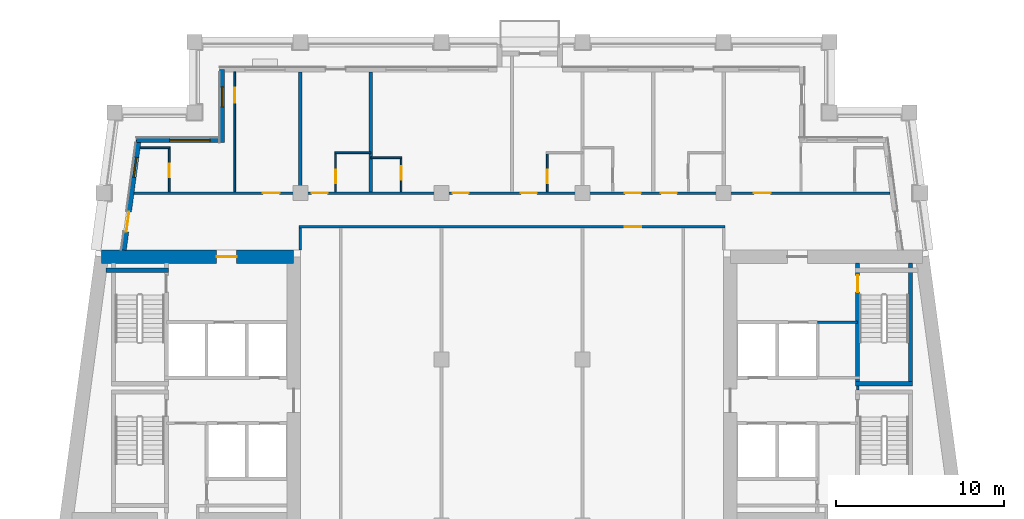
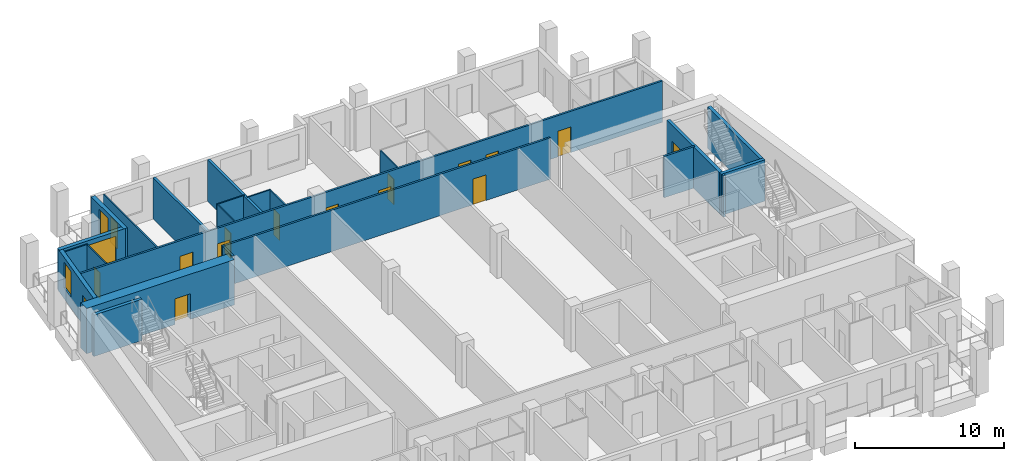
# One storey, part 6 of 13: 23 walls, 16 doors, 3 windows, 19 openings.
"""IFC4 building model written with IfcOpenShell, lengths in metres."""

from ifc_helpers import new_model, si_unit, direction, frame, frame_2d, origin, place, context, subcontext, project, spatial, rectangle, extrude, material, layer, layer_set, type_object, element, fill, save


model = new_model("IFC4")

# Units and contexts
model_context = context("Model", 3, precision=1e-05, world=origin(), true_north=direction((0.0, 1.0)))
body_context = subcontext(model_context, "Body", "Model", "MODEL_VIEW")
ifc_project = project(units=[si_unit("LENGTHUNIT", "METRE"), si_unit("AREAUNIT", "SQUARE_METRE"), si_unit("VOLUMEUNIT", "CUBIC_METRE"), si_unit("PLANEANGLEUNIT", "RADIAN"), si_unit("MASSUNIT", "GRAM", prefix="KILO")], contexts=[model_context])

# Site, building, storey
site_placement = place(None, origin())
site = spatial("IfcSite", under=ifc_project, at=site_placement, CompositionType="ELEMENT")
building_placement = place(site_placement, origin())
building = spatial("IfcBuilding", under=site, at=building_placement, Name="Candeia Pilgrim Tower and Theatre", CompositionType="ELEMENT")
storey_placement = place(building_placement, frame((0.0, 0.0, 205.89990234375)))
storey = spatial("IfcBuildingStorey", under=building, at=storey_placement, Name="L49", CompositionType="ELEMENT", Elevation=205.89990234375)

# Wall, opening, door
ifc_material_1 = material(Name="Concrete C50/60", Category="concrete")
ifc_layer_1 = layer(ifc_material_1, 0.800048828125)
ifc_layer_set_1 = layer_set([ifc_layer_1], Name="Core wall 800 C50/60")
wall_type_1 = type_object("IfcWallType", Name="Core wall 800 C50/60", PredefinedType="SHEAR", material=ifc_layer_set_1)
wall_1_placement = place(storey_placement, frame((88.98046875, 132.0, 0.0), z_axis=(0.0, 0.0, 1.0), x_axis=(1.0, 0.0, 0.0)))
wall_1 = element("IfcWall", 1, at=wall_1_placement, inside=storey, type_object=wall_type_1, Name="Core wall W1", PredefinedType="SHEAR", context=body_context, shape_type="SweptSolid", body=[
    extrude(rectangle(XDim=11.41943359375, YDim=0.800048828125, at=frame_2d((5.709716796875, 0.0))), origin(), (0.0, 0.0, 1.0), 3.7001953125),
])
opening_1_placement = place(wall_1_placement, frame((6.8330078125, 0.0, 0.0)))
opening_1 = element("IfcOpeningElement", 2, at=opening_1_placement, cuts=wall_1, Name="Opening L49-D061", PredefinedType="OPENING", context=body_context, shape_type="SweptSolid", body=[
    extrude(rectangle(XDim=1.199951171875, YDim=2.10009765625, at=frame_2d((0.60009765625, 1.050048828125))), frame((0.0, 0.41015625, 0.0), z_axis=(0.0, -1.0, 0.0), x_axis=(1.0, 0.0, 0.0)), (0.0, 0.0, 1.0), 0.820068359375),
])
ifc_material_2 = material(Name="Steel fire door set", Category="steel")
door_type_1 = type_object("IfcDoorType", Name="D-1200-FD60", OperationType="NOTDEFINED", PredefinedType="DOOR", material=ifc_material_2)
door_1_placement = place(opening_1_placement, origin())
door_1 = element("IfcDoor", 3, at=door_1_placement, inside=storey, type_object=door_type_1, Name="Door L49-D061", OperationType="SINGLE_SWING_RIGHT", OverallHeight=2.10009765625, OverallWidth=1.199951171875, PredefinedType="DOOR", context=body_context, shape_type="SweptSolid", body=[
    extrude(rectangle(XDim=1.199951171875, YDim=2.10009765625, at=frame_2d((0.60009765625, 1.050048828125))), frame((0.0, 0.02490234375, 0.0), z_axis=(0.0, -1.0, 0.0), x_axis=(1.0, 0.0, 0.0)), (0.0, 0.0, 1.0), 0.050048828125),
])
fill(opening_1, door_1)

# Wall, opening, window
ifc_material_3 = material(Name="Ceramic block masonry", Category="masonry")
ifc_layer_2 = layer(ifc_material_3, 0.300048828125)
ifc_layer_set_2 = layer_set([ifc_layer_2], Name="EW1 glazing-line wall 300")
wall_type_2 = type_object("IfcWallType", Name="EW1 glazing-line wall 300", PredefinedType="SOLIDWALL", material=ifc_layer_set_2)
wall_2_placement = place(storey_placement, frame((96.14990234375, 143.14990234375, 0.0), z_axis=(0.0, 0.0, 1.0), x_axis=(0.0, -1.0, 0.0)))
wall_2 = element("IfcWall", 4, at=wall_2_placement, inside=storey, type_object=wall_type_2, Name="External wall L49-7.0", PredefinedType="SOLIDWALL", context=body_context, shape_type="SweptSolid", body=[
    extrude(rectangle(XDim=4.349853515625, YDim=0.300048828125, at=frame_2d((2.1748046875, 0.0))), origin(), (0.0, 0.0, 1.0), 3.380126953125),
])
opening_2_placement = place(wall_2_placement, frame((1.02490234375, 0.0, 0.89990234375)))
opening_2 = element("IfcOpeningElement", 5, at=opening_2_placement, cuts=wall_2, Name="Opening W-B", PredefinedType="OPENING", context=body_context, shape_type="SweptSolid", body=[
    extrude(rectangle(XDim=1.199951171875, YDim=2.10009765625, at=frame_2d((0.60009765625, 1.050048828125))), frame((0.0, 0.16015625, 0.0), z_axis=(0.0, -1.0, 0.0), x_axis=(1.0, 0.0, 0.0)), (0.0, 0.0, 1.0), 0.320068359375),
])
ifc_material_4 = material(Name="Aluminium framed double glazing", Category="aluminium")
window_type_1 = type_object("IfcWindowType", Name="W-B window 1200x2100", PartitioningType="SINGLE_PANEL", PredefinedType="WINDOW", material=ifc_material_4)
window_1_placement = place(opening_2_placement, origin())
window_1 = element("IfcWindow", 6, at=window_1_placement, inside=storey, type_object=window_type_1, Name="Window W-B L49", OverallHeight=2.10009765625, OverallWidth=1.199951171875, PartitioningType="SINGLE_PANEL", PredefinedType="WINDOW", context=body_context, shape_type="SweptSolid", body=[
    extrude(rectangle(XDim=1.199951171875, YDim=2.10009765625, at=frame_2d((0.60009765625, 1.050048828125))), frame((0.0, 0.030029296875, 0.0), z_axis=(0.0, -1.0, 0.0), x_axis=(1.0, 0.0, 0.0)), (0.0, 0.0, 1.0), 0.06005859375),
])
fill(opening_2, window_1)

wall_3_placement = place(storey_placement, frame((96.14990234375, 138.949951171875, 0.0), z_axis=(0.0, 0.0, 1.0), x_axis=(-1.0, 0.0, 0.0)))
wall_3 = element("IfcWall", 7, at=wall_3_placement, inside=storey, type_object=wall_type_2, Name="External wall L49-8.0", PredefinedType="SOLIDWALL", context=body_context, shape_type="SweptSolid", body=[
    extrude(rectangle(XDim=5.103759765625, YDim=0.300048828125, at=frame_2d((2.5517578125, 0.0))), origin(), (0.0, 0.0, 1.0), 3.380126953125),
])
opening_3_placement = place(wall_3_placement, frame((0.72509765625, 0.0, 0.89990234375)))
opening_3 = element("IfcOpeningElement", 8, at=opening_3_placement, cuts=wall_3, Name="Opening W-A", PredefinedType="OPENING", context=body_context, shape_type="SweptSolid", body=[
    extrude(rectangle(XDim=2.39990234375, YDim=2.10009765625, at=frame_2d((1.199951171875, 1.050048828125))), frame((0.0, 0.16015625, 0.0), z_axis=(0.0, -1.0, 0.0), x_axis=(1.0, 0.0, 0.0)), (0.0, 0.0, 1.0), 0.320068359375),
])
window_type_2 = type_object("IfcWindowType", Name="W-A window 2400x2100", PartitioningType="DOUBLE_PANEL_VERTICAL", PredefinedType="WINDOW", material=ifc_material_4)
window_2_placement = place(opening_3_placement, origin())
window_2 = element("IfcWindow", 9, at=window_2_placement, inside=storey, type_object=window_type_2, Name="Window W-A L49", OverallHeight=2.10009765625, OverallWidth=2.39990234375, PartitioningType="SINGLE_PANEL", PredefinedType="WINDOW", context=body_context, shape_type="SweptSolid", body=[
    extrude(rectangle(XDim=2.39990234375, YDim=2.10009765625, at=frame_2d((1.199951171875, 1.050048828125))), frame((0.0, 0.030029296875, 0.0), z_axis=(0.0, -1.0, 0.0), x_axis=(1.0, 0.0, 0.0)), (0.0, 0.0, 1.0), 0.06005859375),
])
fill(opening_3, window_2)

# Wall, openings, door, window
wall_4_placement = place(storey_placement, frame((91.177490234375, 138.949951171875, 0.0), z_axis=(0.0, 0.0, 1.0), x_axis=(-0.133426664613, -0.991058689065, 0.0)))
wall_4 = element("IfcWall", 10, at=wall_4_placement, inside=storey, type_object=wall_type_2, Name="External wall L49-9.0", PredefinedType="SOLIDWALL", context=body_context, shape_type="SweptSolid", body=[
    extrude(rectangle(XDim=6.609130859375, YDim=0.300048828125, at=frame_2d((3.3046875, 0.0))), origin(), (0.0, 0.0, 1.0), 3.380126953125),
])
opening_4_placement = place(wall_4_placement, frame((1.039306640625, 0.0, 0.89990234375)))
opening_4 = element("IfcOpeningElement", 11, at=opening_4_placement, cuts=wall_4, Name="Opening W-B", PredefinedType="OPENING", context=body_context, shape_type="SweptSolid", body=[
    extrude(rectangle(XDim=1.199951171875, YDim=2.10009765625, at=frame_2d((0.60009765625, 1.050048828125))), frame((0.0, 0.16015625, 0.0), z_axis=(0.0, -1.0, 0.0), x_axis=(1.0, 0.0, 0.0)), (0.0, 0.0, 1.0), 0.320068359375),
])
opening_5_placement = place(wall_4_placement, frame((4.293701171875, 0.0, 0.0)))
opening_5 = element("IfcOpeningElement", 12, at=opening_5_placement, cuts=wall_4, Name="Opening L49-ED470", PredefinedType="OPENING", context=body_context, shape_type="SweptSolid", body=[
    extrude(rectangle(XDim=1.199951171875, YDim=2.39990234375, at=frame_2d((0.60009765625, 1.199951171875))), frame((0.0, 0.16015625, 0.0), z_axis=(0.0, -1.0, 0.0), x_axis=(1.0, 0.0, 0.0)), (0.0, 0.0, 1.0), 0.320068359375),
])
ifc_material_5 = material(Name="Aluminium framed glazed door", Category="aluminium")
door_type_2 = type_object("IfcDoorType", Name="Loggia door 1200x2400", OperationType="DOUBLE_DOOR_SINGLE_SWING", PredefinedType="DOOR", material=ifc_material_5)
door_2_placement = place(opening_5_placement, origin())
door_2 = element("IfcDoor", 13, at=door_2_placement, inside=storey, type_object=door_type_2, Name="Loggia door L49-ED470", OperationType="DOUBLE_DOOR_SINGLE_SWING", OverallHeight=2.39990234375, OverallWidth=1.199951171875, PredefinedType="DOOR", context=body_context, shape_type="SweptSolid", body=[
    extrude(rectangle(XDim=1.199951171875, YDim=2.39990234375, at=frame_2d((0.60009765625, 1.199951171875))), frame((0.0, 0.02490234375, 0.0), z_axis=(0.0, -1.0, 0.0), x_axis=(1.0, 0.0, 0.0)), (0.0, 0.0, 1.0), 0.050048828125),
])
fill(opening_5, door_2)
window_3_placement = place(opening_4_placement, origin())
window_3 = element("IfcWindow", 14, at=window_3_placement, inside=storey, type_object=window_type_1, Name="Window W-B L49", OverallHeight=2.10009765625, OverallWidth=1.199951171875, PartitioningType="SINGLE_PANEL", PredefinedType="WINDOW", context=body_context, shape_type="SweptSolid", body=[
    extrude(rectangle(XDim=1.199951171875, YDim=2.10009765625, at=frame_2d((0.60009765625, 1.050048828125))), frame((0.0, 0.030029296875, 0.0), z_axis=(0.0, -1.0, 0.0), x_axis=(1.0, 0.0, 0.0)), (0.0, 0.0, 1.0), 0.06005859375),
])
fill(opening_4, window_3)

# Walls
ifc_material_6 = material(Name="Gypsum board partition on steel studs", Category="steel")
ifc_layer_3 = layer(ifc_material_6, 0.10009765625)
ifc_layer_set_3 = layer_set([ifc_layer_3], Name="PW-100 room partition")
wall_type_3 = type_object("IfcWallType", Name="PW-100 room partition", PredefinedType="PARTITIONING", material=ifc_layer_set_3)
wall_5_placement = place(storey_placement, frame((105.0, 137.89990234375, 0.0), z_axis=(0.0, 0.0, 1.0), x_axis=(1.0, 0.0, 0.0)))
element("IfcWall", 15, at=wall_5_placement, inside=storey, type_object=wall_type_3, Name="Room partition L49-044", PredefinedType="PARTITIONING", context=body_context, shape_type="SweptSolid", body=[
    extrude(rectangle(XDim=1.85009765625, YDim=0.10009765625, at=frame_2d((0.925048828125, 0.0))), origin(), (0.0, 0.0, 1.0), 3.380126953125),
])
wall_6_placement = place(storey_placement, frame((102.85009765625, 138.199951171875, 0.0), z_axis=(0.0, 0.0, 1.0), x_axis=(1.0, 0.0, 0.0)))
element("IfcWall", 16, at=wall_6_placement, inside=storey, type_object=wall_type_3, Name="Room partition L49-045", PredefinedType="PARTITIONING", context=body_context, shape_type="SweptSolid", body=[
    extrude(rectangle(XDim=2.14990234375, YDim=0.10009765625, at=frame_2d((1.074951171875, 0.0))), origin(), (0.0, 0.0, 1.0), 3.380126953125),
])
wall_7_placement = place(storey_placement, frame((91.258056640625, 138.5, 0.0), z_axis=(0.0, 0.0, 1.0), x_axis=(1.0, 0.0, 0.0)))
element("IfcWall", 17, at=wall_7_placement, inside=storey, type_object=wall_type_3, Name="Room partition L49-048", PredefinedType="PARTITIONING", context=body_context, shape_type="SweptSolid", body=[
    extrude(rectangle(XDim=1.7919921875, YDim=0.10009765625, at=frame_2d((0.89599609375, 0.0))), origin(), (0.0, 0.0, 1.0), 3.380126953125),
])

# Wall, opening, door
wall_8_placement = place(storey_placement, frame((93.0, 135.875, 0.0), z_axis=(0.0, 0.0, 1.0), x_axis=(0.0, 1.0, 0.0)))
wall_8 = element("IfcWall", 18, at=wall_8_placement, inside=storey, type_object=wall_type_3, Name="Room partition L49-063", PredefinedType="PARTITIONING", context=body_context, shape_type="SweptSolid", body=[
    extrude(rectangle(XDim=2.574951171875, YDim=0.10009765625, at=frame_2d((1.28759765625, 0.0))), origin(), (0.0, 0.0, 1.0), 3.380126953125),
])
opening_6_placement = place(wall_8_placement, frame((0.875, 0.0, 0.0)))
opening_6 = element("IfcOpeningElement", 19, at=opening_6_placement, cuts=wall_8, Name="Opening L49-D041", PredefinedType="OPENING", context=body_context, shape_type="SweptSolid", body=[
    extrude(rectangle(XDim=0.800048828125, YDim=2.10009765625, at=frame_2d((0.39990234375, 1.050048828125))), frame((0.0, 0.06005859375, 0.0), z_axis=(0.0, -1.0, 0.0), x_axis=(1.0, 0.0, 0.0)), (0.0, 0.0, 1.0), 0.1201171875),
])
ifc_material_7 = material(Name="Timber door leaf", Category="wood")
door_type_3 = type_object("IfcDoorType", Name="D-800", OperationType="NOTDEFINED", PredefinedType="DOOR", material=ifc_material_7)
door_3_placement = place(opening_6_placement, origin())
door_3 = element("IfcDoor", 20, at=door_3_placement, inside=storey, type_object=door_type_3, Name="Door L49-D041", OperationType="SINGLE_SWING_RIGHT", OverallHeight=2.10009765625, OverallWidth=0.800048828125, PredefinedType="DOOR", context=body_context, shape_type="SweptSolid", body=[
    extrude(rectangle(XDim=0.800048828125, YDim=2.10009765625, at=frame_2d((0.39990234375, 1.050048828125))), frame((0.0, 0.02490234375, 0.0), z_axis=(0.0, -1.0, 0.0), x_axis=(1.0, 0.0, 0.0)), (0.0, 0.0, 1.0), 0.050048828125),
])
fill(opening_6, door_3)

wall_9_placement = place(storey_placement, frame((96.89990234375, 135.875, 0.0), z_axis=(0.0, 0.0, 1.0), x_axis=(0.0, 1.0, 0.0)))
wall_9 = element("IfcWall", 21, at=wall_9_placement, inside=storey, type_object=wall_type_3, Name="Room partition L49-069", PredefinedType="PARTITIONING", context=body_context, shape_type="SweptSolid", body=[
    extrude(rectangle(XDim=7.135009765625, YDim=0.10009765625, at=frame_2d((3.5673828125, 0.0))), origin(), (0.0, 0.0, 1.0), 3.380126953125),
])
opening_7_placement = place(wall_9_placement, frame((5.2900390625, 0.0, 0.0)))
opening_7 = element("IfcOpeningElement", 22, at=opening_7_placement, cuts=wall_9, Name="Opening L49-D040", PredefinedType="OPENING", context=body_context, shape_type="SweptSolid", body=[
    extrude(rectangle(XDim=0.89990234375, YDim=2.10009765625, at=frame_2d((0.449951171875, 1.050048828125))), frame((0.0, 0.06005859375, 0.0), z_axis=(0.0, -1.0, 0.0), x_axis=(1.0, 0.0, 0.0)), (0.0, 0.0, 1.0), 0.1201171875),
])
door_type_4 = type_object("IfcDoorType", Name="D-900", OperationType="NOTDEFINED", PredefinedType="DOOR", material=ifc_material_7)
door_4_placement = place(opening_7_placement, origin())
door_4 = element("IfcDoor", 23, at=door_4_placement, inside=storey, type_object=door_type_4, Name="Door L49-D040", OperationType="SINGLE_SWING_LEFT", OverallHeight=2.10009765625, OverallWidth=0.89990234375, PredefinedType="DOOR", context=body_context, shape_type="SweptSolid", body=[
    extrude(rectangle(XDim=0.89990234375, YDim=2.10009765625, at=frame_2d((0.449951171875, 1.050048828125))), frame((0.0, 0.02490234375, 0.0), z_axis=(0.0, -1.0, 0.0), x_axis=(1.0, 0.0, 0.0)), (0.0, 0.0, 1.0), 0.050048828125),
])
fill(opening_7, door_4)

wall_10_placement = place(storey_placement, frame((102.89990234375, 135.875, 0.0), z_axis=(0.0, 0.0, 1.0), x_axis=(0.0, 1.0, 0.0)))
wall_10 = element("IfcWall", 24, at=wall_10_placement, inside=storey, type_object=wall_type_3, Name="Room partition L49-078", PredefinedType="PARTITIONING", context=body_context, shape_type="SweptSolid", body=[
    extrude(rectangle(XDim=2.27490234375, YDim=0.10009765625, at=frame_2d((1.137451171875, 0.0))), origin(), (0.0, 0.0, 1.0), 3.380126953125),
])
opening_8_placement = place(wall_10_placement, frame((0.5, 0.0, 0.0)))
opening_8 = element("IfcOpeningElement", 25, at=opening_8_placement, cuts=wall_10, Name="Opening L49-D043", PredefinedType="OPENING", context=body_context, shape_type="SweptSolid", body=[
    extrude(rectangle(XDim=0.800048828125, YDim=2.10009765625, at=frame_2d((0.39990234375, 1.050048828125))), frame((0.0, 0.06005859375, 0.0), z_axis=(0.0, -1.0, 0.0), x_axis=(1.0, 0.0, 0.0)), (0.0, 0.0, 1.0), 0.1201171875),
])
door_5_placement = place(opening_8_placement, origin())
door_5 = element("IfcDoor", 26, at=door_5_placement, inside=storey, type_object=door_type_3, Name="Door L49-D043", OperationType="SINGLE_SWING_RIGHT", OverallHeight=2.10009765625, OverallWidth=0.800048828125, PredefinedType="DOOR", context=body_context, shape_type="SweptSolid", body=[
    extrude(rectangle(XDim=0.800048828125, YDim=2.10009765625, at=frame_2d((0.39990234375, 1.050048828125))), frame((0.0, 0.02490234375, 0.0), z_axis=(0.0, -1.0, 0.0), x_axis=(1.0, 0.0, 0.0)), (0.0, 0.0, 1.0), 0.050048828125),
])
fill(opening_8, door_5)

wall_11_placement = place(storey_placement, frame((106.800048828125, 135.875, 0.0), z_axis=(0.0, 0.0, 1.0), x_axis=(0.0, 1.0, 0.0)))
wall_11 = element("IfcWall", 27, at=wall_11_placement, inside=storey, type_object=wall_type_3, Name="Room partition L49-083", PredefinedType="PARTITIONING", context=body_context, shape_type="SweptSolid", body=[
    extrude(rectangle(XDim=1.97509765625, YDim=0.10009765625, at=frame_2d((0.987548828125, 0.0))), origin(), (0.0, 0.0, 1.0), 3.380126953125),
])
opening_9_placement = place(wall_11_placement, frame((0.72509765625, 0.0, 0.0)))
opening_9 = element("IfcOpeningElement", 28, at=opening_9_placement, cuts=wall_11, Name="Opening L49-D045", PredefinedType="OPENING", context=body_context, shape_type="SweptSolid", body=[
    extrude(rectangle(XDim=0.800048828125, YDim=2.10009765625, at=frame_2d((0.39990234375, 1.050048828125))), frame((0.0, 0.06005859375, 0.0), z_axis=(0.0, -1.0, 0.0), x_axis=(1.0, 0.0, 0.0)), (0.0, 0.0, 1.0), 0.1201171875),
])
door_6_placement = place(opening_9_placement, origin())
door_6 = element("IfcDoor", 29, at=door_6_placement, inside=storey, type_object=door_type_3, Name="Door L49-D045", OperationType="SINGLE_SWING_RIGHT", OverallHeight=2.10009765625, OverallWidth=0.800048828125, PredefinedType="DOOR", context=body_context, shape_type="SweptSolid", body=[
    extrude(rectangle(XDim=0.800048828125, YDim=2.10009765625, at=frame_2d((0.39990234375, 1.050048828125))), frame((0.0, 0.02490234375, 0.0), z_axis=(0.0, -1.0, 0.0), x_axis=(1.0, 0.0, 0.0)), (0.0, 0.0, 1.0), 0.050048828125),
])
fill(opening_9, door_6)

wall_12_placement = place(storey_placement, frame((115.5, 135.875, 0.0), z_axis=(0.0, 0.0, 1.0), x_axis=(0.0, 1.0, 0.0)))
wall_12 = element("IfcWall", 30, at=wall_12_placement, inside=storey, type_object=wall_type_3, Name="Room partition L49-091", PredefinedType="PARTITIONING", context=body_context, shape_type="SweptSolid", body=[
    extrude(rectangle(XDim=2.27490234375, YDim=0.10009765625, at=frame_2d((1.137451171875, 0.0))), origin(), (0.0, 0.0, 1.0), 3.380126953125),
])
opening_10_placement = place(wall_12_placement, frame((0.5, 0.0, 0.0)))
opening_10 = element("IfcOpeningElement", 31, at=opening_10_placement, cuts=wall_12, Name="Opening L49-D047", PredefinedType="OPENING", context=body_context, shape_type="SweptSolid", body=[
    extrude(rectangle(XDim=0.800048828125, YDim=2.10009765625, at=frame_2d((0.39990234375, 1.050048828125))), frame((0.0, 0.06005859375, 0.0), z_axis=(0.0, -1.0, 0.0), x_axis=(1.0, 0.0, 0.0)), (0.0, 0.0, 1.0), 0.1201171875),
])
door_7_placement = place(opening_10_placement, origin())
door_7 = element("IfcDoor", 32, at=door_7_placement, inside=storey, type_object=door_type_3, Name="Door L49-D047", OperationType="SINGLE_SWING_RIGHT", OverallHeight=2.10009765625, OverallWidth=0.800048828125, PredefinedType="DOOR", context=body_context, shape_type="SweptSolid", body=[
    extrude(rectangle(XDim=0.800048828125, YDim=2.10009765625, at=frame_2d((0.39990234375, 1.050048828125))), frame((0.0, 0.02490234375, 0.0), z_axis=(0.0, -1.0, 0.0), x_axis=(1.0, 0.0, 0.0)), (0.0, 0.0, 1.0), 0.050048828125),
])
fill(opening_10, door_7)

# Walls
ifc_layer_4 = layer(ifc_material_6, 0.14990234375)
ifc_layer_set_4 = layer_set([ifc_layer_4], Name="PW-150 lobby wall")
wall_type_4 = type_object("IfcWallType", Name="PW-150 lobby wall", PredefinedType="PARTITIONING", material=ifc_layer_set_4)
wall_13_placement = place(storey_placement, frame((131.58203125, 128.10009765625, 0.0), z_axis=(0.0, 0.0, 1.0), x_axis=(1.0, 0.0, 0.0)))
element("IfcWall", 33, at=wall_13_placement, inside=storey, type_object=wall_type_4, Name="Lobby wall L49-039", PredefinedType="PARTITIONING", context=body_context, shape_type="SweptSolid", body=[
    extrude(rectangle(XDim=2.390869140625, YDim=0.14990234375, at=frame_2d((1.1953125, 0.0))), origin(), (0.0, 0.0, 1.0), 3.380126953125),
])
wall_14_placement = place(storey_placement, frame((133.972900390625, 124.074951171875, 0.0), z_axis=(0.0, 0.0, 1.0), x_axis=(0.0, 1.0, 0.0)))
element("IfcWall", 34, at=wall_14_placement, inside=storey, type_object=wall_type_4, Name="Lobby wall L49-120", PredefinedType="PARTITIONING", context=body_context, shape_type="SweptSolid", body=[
    extrude(rectangle(XDim=0.25, YDim=0.14990234375, at=frame_2d((0.125, 0.0))), origin(), (0.0, 0.0, 1.0), 3.380126953125),
])

# Wall, opening, door
ifc_layer_5 = layer(ifc_material_6, 0.14990234375)
ifc_layer_set_5 = layer_set([ifc_layer_5], Name="PW-150 unit wall")
wall_type_5 = type_object("IfcWallType", Name="PW-150 unit wall", PredefinedType="PARTITIONING", material=ifc_layer_set_5)
wall_15_placement = place(storey_placement, frame((100.72509765625, 133.800048828125, 0.0), z_axis=(0.0, 0.0, 1.0), x_axis=(1.0, 0.0, 0.0)))
wall_15 = element("IfcWall", 35, at=wall_15_placement, inside=storey, type_object=wall_type_5, Name="Unit wall L49-042", PredefinedType="PARTITIONING", context=body_context, shape_type="SweptSolid", body=[
    extrude(rectangle(XDim=25.349853515625, YDim=0.14990234375, at=frame_2d((12.6748046875, 0.0))), origin(), (0.0, 0.0, 1.0), 3.380126953125),
])
opening_11_placement = place(wall_15_placement, frame((19.375, 0.0, 0.0)))
opening_11 = element("IfcOpeningElement", 36, at=opening_11_placement, cuts=wall_15, Name="Opening L49-D059", PredefinedType="OPENING", context=body_context, shape_type="SweptSolid", body=[
    extrude(rectangle(XDim=1.0, YDim=2.10009765625, at=frame_2d((0.5, 1.050048828125))), frame((0.0, 0.0849609375, 0.0), z_axis=(0.0, -1.0, 0.0), x_axis=(1.0, 0.0, 0.0)), (0.0, 0.0, 1.0), 0.169921875),
])
door_type_5 = type_object("IfcDoorType", Name="D-1000-FD30S", OperationType="NOTDEFINED", PredefinedType="DOOR", material=ifc_material_2)
door_8_placement = place(opening_11_placement, origin())
door_8 = element("IfcDoor", 37, at=door_8_placement, inside=storey, type_object=door_type_5, Name="Door L49-D059", OperationType="SINGLE_SWING_RIGHT", OverallHeight=2.10009765625, OverallWidth=1.0, PredefinedType="DOOR", context=body_context, shape_type="SweptSolid", body=[
    extrude(rectangle(XDim=1.0, YDim=2.10009765625, at=frame_2d((0.5, 1.050048828125))), frame((0.0, 0.02490234375, 0.0), z_axis=(0.0, -1.0, 0.0), x_axis=(1.0, 0.0, 0.0)), (0.0, 0.0, 1.0), 0.050048828125),
])
fill(opening_11, door_8)

# Wall, openings, doors
wall_16_placement = place(storey_placement, frame((90.89453125, 135.800048828125, 0.0), z_axis=(0.0, 0.0, 1.0), x_axis=(1.0, 0.0, 0.0)))
wall_16 = element("IfcWall", 38, at=wall_16_placement, inside=storey, type_object=wall_type_5, Name="Unit wall L49-043", PredefinedType="PARTITIONING", context=body_context, shape_type="SweptSolid", body=[
    extrude(rectangle(XDim=45.010986328125, YDim=0.14990234375, at=frame_2d((22.50537109375, 0.0))), origin(), (0.0, 0.0, 1.0), 3.380126953125),
])
opening_12_placement = place(wall_16_placement, frame((7.67529296875, 0.0, 0.0)))
opening_12 = element("IfcOpeningElement", 39, at=opening_12_placement, cuts=wall_16, Name="Opening L49-D039", PredefinedType="OPENING", context=body_context, shape_type="SweptSolid", body=[
    extrude(rectangle(XDim=1.0, YDim=2.10009765625, at=frame_2d((0.5, 1.050048828125))), frame((0.0, 0.0849609375, 0.0), z_axis=(0.0, -1.0, 0.0), x_axis=(1.0, 0.0, 0.0)), (0.0, 0.0, 1.0), 0.169921875),
])
opening_13_placement = place(wall_16_placement, frame((10.575439453125, 0.0, 0.0)))
opening_13 = element("IfcOpeningElement", 40, at=opening_13_placement, cuts=wall_16, Name="Opening L49-D042", PredefinedType="OPENING", context=body_context, shape_type="SweptSolid", body=[
    extrude(rectangle(XDim=0.949951171875, YDim=2.10009765625, at=frame_2d((0.47509765625, 1.050048828125))), frame((0.0, 0.0849609375, 0.0), z_axis=(0.0, -1.0, 0.0), x_axis=(1.0, 0.0, 0.0)), (0.0, 0.0, 1.0), 0.169921875),
])
opening_14_placement = place(wall_16_placement, frame((18.978515625, 0.0, 0.0)))
opening_14 = element("IfcOpeningElement", 41, at=opening_14_placement, cuts=wall_16, Name="Opening L49-D044", PredefinedType="OPENING", context=body_context, shape_type="SweptSolid", body=[
    extrude(rectangle(XDim=0.949951171875, YDim=2.10009765625, at=frame_2d((0.47509765625, 1.050048828125))), frame((0.0, 0.0849609375, 0.0), z_axis=(0.0, -1.0, 0.0), x_axis=(1.0, 0.0, 0.0)), (0.0, 0.0, 1.0), 0.169921875),
])
opening_15_placement = place(wall_16_placement, frame((23.035400390625, 0.0, 0.0)))
opening_15 = element("IfcOpeningElement", 42, at=opening_15_placement, cuts=wall_16, Name="Opening L49-D046", PredefinedType="OPENING", context=body_context, shape_type="SweptSolid", body=[
    extrude(rectangle(XDim=0.949951171875, YDim=2.10009765625, at=frame_2d((0.47509765625, 1.050048828125))), frame((0.0, 0.0849609375, 0.0), z_axis=(0.0, -1.0, 0.0), x_axis=(1.0, 0.0, 0.0)), (0.0, 0.0, 1.0), 0.169921875),
])
opening_16_placement = place(wall_16_placement, frame((29.23046875, 0.0, 0.0)))
opening_16 = element("IfcOpeningElement", 43, at=opening_16_placement, cuts=wall_16, Name="Opening L49-D048", PredefinedType="OPENING", context=body_context, shape_type="SweptSolid", body=[
    extrude(rectangle(XDim=0.949951171875, YDim=2.10009765625, at=frame_2d((0.47509765625, 1.050048828125))), frame((0.0, 0.0849609375, 0.0), z_axis=(0.0, -1.0, 0.0), x_axis=(1.0, 0.0, 0.0)), (0.0, 0.0, 1.0), 0.169921875),
])
opening_17_placement = place(wall_16_placement, frame((31.367431640625, 0.0, 0.0)))
opening_17 = element("IfcOpeningElement", 44, at=opening_17_placement, cuts=wall_16, Name="Opening L49-D050", PredefinedType="OPENING", context=body_context, shape_type="SweptSolid", body=[
    extrude(rectangle(XDim=0.949951171875, YDim=2.10009765625, at=frame_2d((0.47509765625, 1.050048828125))), frame((0.0, 0.0849609375, 0.0), z_axis=(0.0, -1.0, 0.0), x_axis=(1.0, 0.0, 0.0)), (0.0, 0.0, 1.0), 0.169921875),
])
opening_18_placement = place(wall_16_placement, frame((36.905517578125, 0.0, 0.0)))
opening_18 = element("IfcOpeningElement", 45, at=opening_18_placement, cuts=wall_16, Name="Opening L49-D052", PredefinedType="OPENING", context=body_context, shape_type="SweptSolid", body=[
    extrude(rectangle(XDim=1.0, YDim=2.10009765625, at=frame_2d((0.5, 1.050048828125))), frame((0.0, 0.0849609375, 0.0), z_axis=(0.0, -1.0, 0.0), x_axis=(1.0, 0.0, 0.0)), (0.0, 0.0, 1.0), 0.169921875),
])
door_9_placement = place(opening_12_placement, origin())
door_9 = element("IfcDoor", 46, at=door_9_placement, inside=storey, type_object=door_type_5, Name="Door L49-D039", OperationType="SINGLE_SWING_RIGHT", OverallHeight=2.10009765625, OverallWidth=1.0, PredefinedType="DOOR", context=body_context, shape_type="SweptSolid", body=[
    extrude(rectangle(XDim=1.0, YDim=2.10009765625, at=frame_2d((0.5, 1.050048828125))), frame((0.0, 0.02490234375, 0.0), z_axis=(0.0, -1.0, 0.0), x_axis=(1.0, 0.0, 0.0)), (0.0, 0.0, 1.0), 0.050048828125),
])
fill(opening_12, door_9)
door_10_placement = place(opening_18_placement, origin())
door_10 = element("IfcDoor", 47, at=door_10_placement, inside=storey, type_object=door_type_5, Name="Door L49-D052", OperationType="SINGLE_SWING_LEFT", OverallHeight=2.10009765625, OverallWidth=1.0, PredefinedType="DOOR", context=body_context, shape_type="SweptSolid", body=[
    extrude(rectangle(XDim=1.0, YDim=2.10009765625, at=frame_2d((0.5, 1.050048828125))), frame((0.0, 0.02490234375, 0.0), z_axis=(0.0, -1.0, 0.0), x_axis=(1.0, 0.0, 0.0)), (0.0, 0.0, 1.0), 0.050048828125),
])
fill(opening_18, door_10)
door_type_6 = type_object("IfcDoorType", Name="D-950-FD30S", OperationType="NOTDEFINED", PredefinedType="DOOR", material=ifc_material_2)
door_11_placement = place(opening_13_placement, origin())
door_11 = element("IfcDoor", 48, at=door_11_placement, inside=storey, type_object=door_type_6, Name="Door L49-D042", OperationType="SINGLE_SWING_LEFT", OverallHeight=2.10009765625, OverallWidth=0.949951171875, PredefinedType="DOOR", context=body_context, shape_type="SweptSolid", body=[
    extrude(rectangle(XDim=0.949951171875, YDim=2.10009765625, at=frame_2d((0.47509765625, 1.050048828125))), frame((0.0, 0.02490234375, 0.0), z_axis=(0.0, -1.0, 0.0), x_axis=(1.0, 0.0, 0.0)), (0.0, 0.0, 1.0), 0.050048828125),
])
fill(opening_13, door_11)
door_12_placement = place(opening_14_placement, origin())
door_12 = element("IfcDoor", 49, at=door_12_placement, inside=storey, type_object=door_type_6, Name="Door L49-D044", OperationType="SINGLE_SWING_LEFT", OverallHeight=2.10009765625, OverallWidth=0.949951171875, PredefinedType="DOOR", context=body_context, shape_type="SweptSolid", body=[
    extrude(rectangle(XDim=0.949951171875, YDim=2.10009765625, at=frame_2d((0.47509765625, 1.050048828125))), frame((0.0, 0.02490234375, 0.0), z_axis=(0.0, -1.0, 0.0), x_axis=(1.0, 0.0, 0.0)), (0.0, 0.0, 1.0), 0.050048828125),
])
fill(opening_14, door_12)
door_13_placement = place(opening_15_placement, origin())
door_13 = element("IfcDoor", 50, at=door_13_placement, inside=storey, type_object=door_type_6, Name="Door L49-D046", OperationType="SINGLE_SWING_LEFT", OverallHeight=2.10009765625, OverallWidth=0.949951171875, PredefinedType="DOOR", context=body_context, shape_type="SweptSolid", body=[
    extrude(rectangle(XDim=0.949951171875, YDim=2.10009765625, at=frame_2d((0.47509765625, 1.050048828125))), frame((0.0, 0.02490234375, 0.0), z_axis=(0.0, -1.0, 0.0), x_axis=(1.0, 0.0, 0.0)), (0.0, 0.0, 1.0), 0.050048828125),
])
fill(opening_15, door_13)
door_14_placement = place(opening_16_placement, origin())
door_14 = element("IfcDoor", 51, at=door_14_placement, inside=storey, type_object=door_type_6, Name="Door L49-D048", OperationType="SINGLE_SWING_LEFT", OverallHeight=2.10009765625, OverallWidth=0.949951171875, PredefinedType="DOOR", context=body_context, shape_type="SweptSolid", body=[
    extrude(rectangle(XDim=0.949951171875, YDim=2.10009765625, at=frame_2d((0.47509765625, 1.050048828125))), frame((0.0, 0.02490234375, 0.0), z_axis=(0.0, -1.0, 0.0), x_axis=(1.0, 0.0, 0.0)), (0.0, 0.0, 1.0), 0.050048828125),
])
fill(opening_16, door_14)
door_15_placement = place(opening_17_placement, origin())
door_15 = element("IfcDoor", 52, at=door_15_placement, inside=storey, type_object=door_type_6, Name="Door L49-D050", OperationType="SINGLE_SWING_LEFT", OverallHeight=2.10009765625, OverallWidth=0.949951171875, PredefinedType="DOOR", context=body_context, shape_type="SweptSolid", body=[
    extrude(rectangle(XDim=0.949951171875, YDim=2.10009765625, at=frame_2d((0.47509765625, 1.050048828125))), frame((0.0, 0.02490234375, 0.0), z_axis=(0.0, -1.0, 0.0), x_axis=(1.0, 0.0, 0.0)), (0.0, 0.0, 1.0), 0.050048828125),
])
fill(opening_17, door_15)

# Walls
wall_17_placement = place(storey_placement, frame((100.800048828125, 132.39990234375, 0.0), z_axis=(0.0, 0.0, 1.0), x_axis=(0.0, 1.0, 0.0)))
element("IfcWall", 53, at=wall_17_placement, inside=storey, type_object=wall_type_5, Name="Unit wall L49-077", PredefinedType="PARTITIONING", context=body_context, shape_type="SweptSolid", body=[
    extrude(rectangle(XDim=1.3251953125, YDim=0.14990234375, at=frame_2d((0.66259765625, 0.0))), origin(), (0.0, 0.0, 1.0), 3.380126953125),
])
ifc_layer_6 = layer(ifc_material_6, 0.199951171875)
ifc_layer_set_6 = layer_set([ifc_layer_6], Name="PW-200 party wall")
wall_type_6 = type_object("IfcWallType", Name="PW-200 party wall", PredefinedType="PARTITIONING", material=ifc_layer_set_6)
for number, where, z_axis, x_axis, name in (
    (54, (100.800048828125, 135.875, 0.0), (0.0, 0.0, 1.0), (0.0, 1.0, 0.0), "Party wall L49-075"),
    (55, (105.0, 135.875, 0.0), (0.0, 0.0, 1.0), (0.0, 1.0, 0.0), "Party wall L49-082"),
):
    element("IfcWall", number, at=place(storey_placement, frame(where, z_axis=z_axis, x_axis=x_axis)), inside=storey, type_object=wall_type_6, Name=name, PredefinedType="PARTITIONING", context=body_context, shape_type="SweptSolid", body=[
        extrude(rectangle(XDim=7.135009765625, YDim=0.199951171875, at=frame_2d((3.5673828125, 0.0))), origin(), (0.0, 0.0, 1.0), 3.380126953125),
    ])
ifc_material_8 = material(Name="Concrete C40/50", Category="concrete")
ifc_layer_7 = layer(ifc_material_8, 0.25)
ifc_layer_set_7 = layer_set([ifc_layer_7], Name="SW-250 stair wall")
wall_type_7 = type_object("IfcWallType", Name="SW-250 stair wall", PredefinedType="PARTITIONING", material=ifc_layer_set_7)
wall_18_placement = place(storey_placement, frame((133.847900390625, 124.449951171875, 0.0), z_axis=(0.0, 0.0, 1.0), x_axis=(1.0, 0.0, 0.0)))
element("IfcWall", 56, at=wall_18_placement, inside=storey, type_object=wall_type_7, Name="Stair wall L49-033", PredefinedType="PARTITIONING", context=body_context, shape_type="SweptSolid", body=[
    extrude(rectangle(XDim=3.400146484375, YDim=0.25, at=frame_2d((1.7001953125, 0.0))), origin(), (0.0, 0.0, 1.0), 3.380126953125),
])
wall_19_placement = place(storey_placement, frame((89.246337890625, 131.199951171875, 0.0), z_axis=(0.0, 0.0, 1.0), x_axis=(1.0, 0.0, 0.0)))
element("IfcWall", 57, at=wall_19_placement, inside=storey, type_object=wall_type_7, Name="Stair wall L49-040", PredefinedType="PARTITIONING", context=body_context, shape_type="SweptSolid", body=[
    extrude(rectangle(XDim=3.70556640625, YDim=0.25, at=frame_2d((1.852783203125, 0.0))), origin(), (0.0, 0.0, 1.0), 3.380126953125),
])

# Wall, opening, door
wall_20_placement = place(storey_placement, frame((133.972900390625, 124.574951171875, 0.0), z_axis=(0.0, 0.0, 1.0), x_axis=(0.0, 1.0, 0.0)))
wall_20 = element("IfcWall", 58, at=wall_20_placement, inside=storey, type_object=wall_type_7, Name="Stair wall L49-122", PredefinedType="PARTITIONING", context=body_context, shape_type="SweptSolid", body=[
    extrude(rectangle(XDim=7.054931640625, YDim=0.25, at=frame_2d((3.52734375, 0.0))), origin(), (0.0, 0.0, 1.0), 3.380126953125),
])
opening_19_placement = place(wall_20_placement, frame((5.324951171875, 0.0, 0.0)))
opening_19 = element("IfcOpeningElement", 59, at=opening_19_placement, cuts=wall_20, Name="Opening L49-D011", PredefinedType="OPENING", context=body_context, shape_type="SweptSolid", body=[
    extrude(rectangle(XDim=1.0, YDim=2.10009765625, at=frame_2d((0.5, 1.050048828125))), frame((0.0, 0.135009765625, 0.0), z_axis=(0.0, -1.0, 0.0), x_axis=(1.0, 0.0, 0.0)), (0.0, 0.0, 1.0), 0.27001953125),
])
door_type_7 = type_object("IfcDoorType", Name="D-1000-FD60", OperationType="NOTDEFINED", PredefinedType="DOOR", material=ifc_material_2)
door_16_placement = place(opening_19_placement, origin())
door_16 = element("IfcDoor", 60, at=door_16_placement, inside=storey, type_object=door_type_7, Name="Door L49-D011", OperationType="SINGLE_SWING_RIGHT", OverallHeight=2.10009765625, OverallWidth=1.0, PredefinedType="DOOR", context=body_context, shape_type="SweptSolid", body=[
    extrude(rectangle(XDim=1.0, YDim=2.10009765625, at=frame_2d((0.5, 1.050048828125))), frame((0.0, 0.02490234375, 0.0), z_axis=(0.0, -1.0, 0.0), x_axis=(1.0, 0.0, 0.0)), (0.0, 0.0, 1.0), 0.050048828125),
])
fill(opening_19, door_16)

# Wall
wall_21_placement = place(storey_placement, frame((137.123046875, 124.574951171875, 0.0), z_axis=(0.0, 0.0, 1.0), x_axis=(0.0, 1.0, 0.0)))
element("IfcWall", 61, at=wall_21_placement, inside=storey, type_object=wall_type_7, Name="Stair wall L49-126", PredefinedType="PARTITIONING", context=body_context, shape_type="SweptSolid", body=[
    extrude(rectangle(XDim=7.054931640625, YDim=0.25, at=frame_2d((3.52734375, 0.0))), origin(), (0.0, 0.0, 1.0), 3.380126953125),
])

save(model, "model.ifc")
